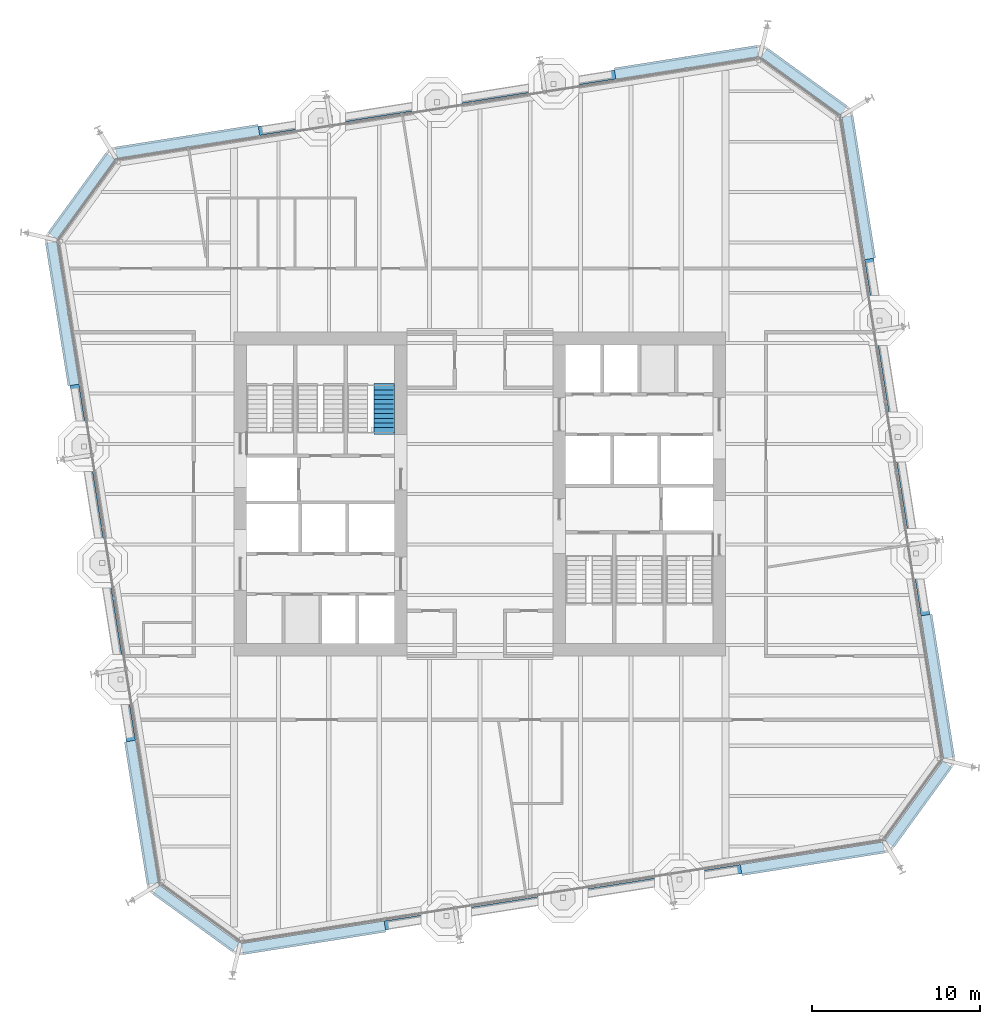
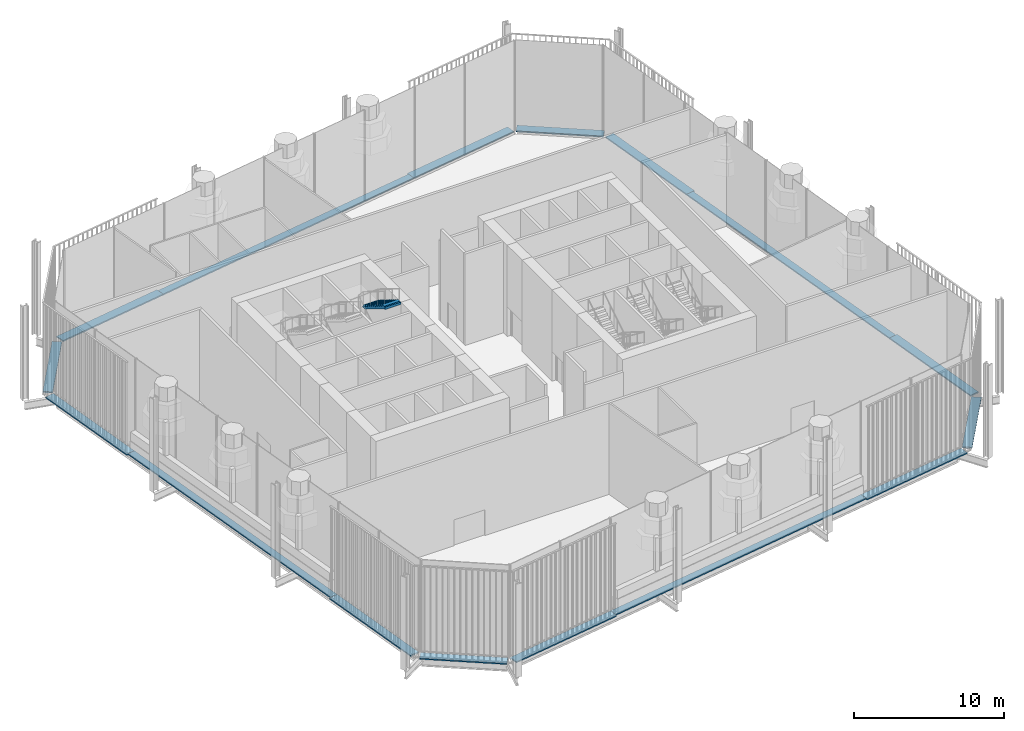
# One storey, part 15 of 19: 16 discrete accessories, 1 stair flight, 1 element without a shape of its own.
"""IFC4 building model written with IfcOpenShell, lengths in metres."""

from ifc_helpers import new_model, si_unit, direction, frame, origin, origin_2d, place, context, subcontext, project, spatial, polyline, rectangle, outline, extrude, material, type_object, element, aggregate, save


model = new_model("IFC4")

# Units and contexts
model_context = context("Model", 3, precision=1e-05, world=origin(), true_north=direction((0.0, 1.0)))
body_context = subcontext(model_context, "Body", "Model", "MODEL_VIEW")
ifc_project = project(units=[si_unit("LENGTHUNIT", "METRE"), si_unit("AREAUNIT", "SQUARE_METRE"), si_unit("VOLUMEUNIT", "CUBIC_METRE"), si_unit("PLANEANGLEUNIT", "RADIAN"), si_unit("MASSUNIT", "GRAM", prefix="KILO")], contexts=[model_context])

# Site, building, storey
site_placement = place(None, origin())
site = spatial("IfcSite", under=ifc_project, at=site_placement, CompositionType="ELEMENT")
building_placement = place(site_placement, origin())
building = spatial("IfcBuilding", under=site, at=building_placement, Name="Millrace Tower", CompositionType="ELEMENT")
storey_placement = place(building_placement, frame((0.0, 0.0, 172.39990234375)))
storey = spatial("IfcBuildingStorey", under=building, at=storey_placement, Name="L39", CompositionType="ELEMENT", Elevation=172.39990234375)

# Stair, stair flight
ifc_material_1 = material(Name="Concrete C35", Category="concrete")
stair_type = type_object("IfcStairType", Name="Exit stair", PredefinedType="HALF_TURN_STAIR", material=ifc_material_1)
stair_placement = place(storey_placement, origin())
stair = element("IfcStair", 1, at=stair_placement, inside=storey, type_object=stair_type, Name="Stair 3 W L39", PredefinedType="HALF_TURN_STAIR")
ifc_material_2 = material(Name="Concrete C35", Category="concrete")
stair_flight_type = type_object("IfcStairFlightType", Name="Exit stair flight", PredefinedType="STRAIGHT", material=ifc_material_2)
stair_flight_placement = place(storey_placement, frame((-5.7099609375, 6.47998046875, 5.7001953125), z_axis=(0.0, 0.0, 1.0), x_axis=(0.0, -1.0, 0.0)))
stair_flight = element("IfcStairFlight", 2, at=stair_flight_placement, type_object=stair_flight_type, Name="ST12 flight 4", NumberOfRisers=11, NumberOfTreads=10, PredefinedType="STRAIGHT", RiserHeight=0.172727273, TreadLength=0.28, context=body_context, shape_type="SweptSolid", body=[
    extrude(outline(polyline([(-0.1201171875, -0.0400390625), (-0.1201171875, 0.0), (0.0, 0.0), (0.0, 0.172607421875), (0.280029296875, 0.172607421875), (0.280029296875, 0.345458984375), (0.56005859375, 0.345458984375), (0.56005859375, 0.51806640625), (0.840087890625, 0.51806640625), (0.840087890625, 0.69091796875), (1.1201171875, 0.69091796875), (1.1201171875, 0.863525390625), (1.39990234375, 0.863525390625), (1.39990234375, 1.036376953125), (1.679931640625, 1.036376953125), (1.679931640625, 1.208984375), (1.9599609375, 1.208984375), (1.9599609375, 1.3818359375), (2.239990234375, 1.3818359375), (2.239990234375, 1.554443359375), (2.52001953125, 1.554443359375), (2.52001953125, 1.727294921875), (2.800048828125, 1.727294921875), (2.800048828125, 1.747314453125), (2.919921875, 1.747314453125), (2.919921875, 1.551025390625), (2.800048828125, 1.551025390625), (0.285400390625, 0.0), (0.285400390625, -0.0400390625), (-0.1201171875, -0.0400390625)])), frame((0.0, 0.60986328125, 0.0), z_axis=(0.0, -1.0, 0.0), x_axis=(1.0, 0.0, 0.0)), (0.0, 0.0, 1.0), 1.219970703125),
])
aggregate(stair, [stair_flight])

# Discrete accessories
ifc_material_3 = material(Name="Stainless steel ASTM A240 type 316", Category="steel")
discrete_accessory_type = type_object("IfcDiscreteAccessoryType", Name="Thermally broken screen support rail", PredefinedType="BRACKET", material=ifc_material_3)
discrete_accessory_1_placement = place(storey_placement, frame((-16.924072265625, -25.295654296875, 0.0), z_axis=(0.0, 0.0, 1.0), x_axis=(0.809016981623, -0.587785269844, 0.0)))
element("IfcDiscreteAccessory", 3, at=discrete_accessory_1_placement, inside=storey, type_object=discrete_accessory_type, Name="Thermally broken screen support rail C-F01 L39 1", PredefinedType="BRACKET", context=body_context, shape_type="SweptSolid", body=[
    extrude(rectangle(XDim=5.868896484375, YDim=0.669921875, at=origin_2d()), origin(), (0.0, 0.0, 1.0), 0.10009765625),
])
discrete_accessory_2_placement = place(storey_placement, frame((-9.90478515625, -26.443359375, 0.0), z_axis=(0.0, 0.0, 1.0), x_axis=(0.98768833929, 0.15643447328, 0.0)))
element("IfcDiscreteAccessory", 4, at=discrete_accessory_2_placement, inside=storey, type_object=discrete_accessory_type, Name="Thermally broken screen support rail C-F02 L39 1", PredefinedType="BRACKET", context=body_context, shape_type="SweptSolid", body=[
    extrude(rectangle(XDim=8.60009765625, YDim=0.669921875, at=origin_2d()), origin(), (0.0, 0.0, 1.0), 0.10009765625),
])
discrete_accessory_3_placement = place(storey_placement, frame((4.950439453125, -24.02978515625, 0.0), z_axis=(0.0, 0.0, 1.0), x_axis=(0.98768833929, 0.15643447328, 0.0)))
element("IfcDiscreteAccessory", 5, at=discrete_accessory_3_placement, inside=storey, type_object=discrete_accessory_type, Name="Thermally broken screen support rail C-F02 L39 2", PredefinedType="BRACKET", context=body_context, shape_type="SweptSolid", body=[
    extrude(rectangle(XDim=21.5, YDim=0.550048828125, at=origin_2d()), origin(), (0.0, 0.0, 1.0), 0.10009765625),
])
discrete_accessory_4_placement = place(storey_placement, frame((19.82470703125, -21.73486328125, 0.0), z_axis=(0.0, 0.0, 1.0), x_axis=(0.98768833929, 0.15643447328, 0.0)))
element("IfcDiscreteAccessory", 6, at=discrete_accessory_4_placement, inside=storey, type_object=discrete_accessory_type, Name="Thermally broken screen support rail C-F02 L39 3", PredefinedType="BRACKET", context=body_context, shape_type="SweptSolid", body=[
    extrude(rectangle(XDim=8.60009765625, YDim=0.669921875, at=origin_2d()), origin(), (0.0, 0.0, 1.0), 0.10009765625),
])
discrete_accessory_5_placement = place(storey_placement, frame((26.145751953125, -18.47412109375, 0.0), z_axis=(0.0, 0.0, 1.0), x_axis=(0.587785269844, 0.809016981623, 0.0)))
element("IfcDiscreteAccessory", 7, at=discrete_accessory_5_placement, inside=storey, type_object=discrete_accessory_type, Name="Thermally broken screen support rail C-F03 L39 1", PredefinedType="BRACKET", context=body_context, shape_type="SweptSolid", body=[
    extrude(rectangle(XDim=5.868896484375, YDim=0.669921875, at=origin_2d()), origin(), (0.0, 0.0, 1.0), 0.10009765625),
])
discrete_accessory_6_placement = place(storey_placement, frame((27.29345703125, -11.454833984375, 0.0), z_axis=(0.0, 0.0, 1.0), x_axis=(-0.15643447328, 0.98768833929, 0.0)))
element("IfcDiscreteAccessory", 8, at=discrete_accessory_6_placement, inside=storey, type_object=discrete_accessory_type, Name="Thermally broken screen support rail C-F04 L39 1", PredefinedType="BRACKET", context=body_context, shape_type="SweptSolid", body=[
    extrude(rectangle(XDim=8.60009765625, YDim=0.669921875, at=origin_2d()), origin(), (0.0, 0.0, 1.0), 0.10009765625),
])
discrete_accessory_7_placement = place(storey_placement, frame((24.8798828125, 3.400634765625, 0.0), z_axis=(0.0, 0.0, 1.0), x_axis=(-0.15643447328, 0.98768833929, 0.0)))
element("IfcDiscreteAccessory", 9, at=discrete_accessory_7_placement, inside=storey, type_object=discrete_accessory_type, Name="Thermally broken screen support rail C-F04 L39 2", PredefinedType="BRACKET", context=body_context, shape_type="SweptSolid", body=[
    extrude(rectangle(XDim=21.5, YDim=0.550048828125, at=origin_2d()), origin(), (0.0, 0.0, 1.0), 0.10009765625),
])
discrete_accessory_8_placement = place(storey_placement, frame((22.584716796875, 18.274658203125, 0.0), z_axis=(0.0, 0.0, 1.0), x_axis=(-0.15643447328, 0.98768833929, 0.0)))
element("IfcDiscreteAccessory", 10, at=discrete_accessory_8_placement, inside=storey, type_object=discrete_accessory_type, Name="Thermally broken screen support rail C-F04 L39 3", PredefinedType="BRACKET", context=body_context, shape_type="SweptSolid", body=[
    extrude(rectangle(XDim=8.60009765625, YDim=0.669921875, at=origin_2d()), origin(), (0.0, 0.0, 1.0), 0.10009765625),
])
discrete_accessory_9_placement = place(storey_placement, frame((19.323974609375, 24.595703125, 0.0), z_axis=(0.0, 0.0, 1.0), x_axis=(-0.809016981623, 0.587785269844, 0.0)))
element("IfcDiscreteAccessory", 11, at=discrete_accessory_9_placement, inside=storey, type_object=discrete_accessory_type, Name="Thermally broken screen support rail C-F05 L39 1", PredefinedType="BRACKET", context=body_context, shape_type="SweptSolid", body=[
    extrude(rectangle(XDim=5.868896484375, YDim=0.669921875, at=origin_2d()), origin(), (0.0, 0.0, 1.0), 0.10009765625),
])
discrete_accessory_10_placement = place(storey_placement, frame((12.3046875, 25.743408203125, 0.0), z_axis=(0.0, 0.0, 1.0), x_axis=(-0.98768833929, -0.15643447328, 0.0)))
element("IfcDiscreteAccessory", 12, at=discrete_accessory_10_placement, inside=storey, type_object=discrete_accessory_type, Name="Thermally broken screen support rail C-F06 L39 1", PredefinedType="BRACKET", context=body_context, shape_type="SweptSolid", body=[
    extrude(rectangle(XDim=8.60009765625, YDim=0.669921875, at=origin_2d()), origin(), (0.0, 0.0, 1.0), 0.10009765625),
])
discrete_accessory_11_placement = place(storey_placement, frame((-2.550537109375, 23.329833984375, 0.0), z_axis=(0.0, 0.0, 1.0), x_axis=(-0.98768833929, -0.15643447328, 0.0)))
element("IfcDiscreteAccessory", 13, at=discrete_accessory_11_placement, inside=storey, type_object=discrete_accessory_type, Name="Thermally broken screen support rail C-F06 L39 2", PredefinedType="BRACKET", context=body_context, shape_type="SweptSolid", body=[
    extrude(rectangle(XDim=21.5, YDim=0.550048828125, at=origin_2d()), origin(), (0.0, 0.0, 1.0), 0.10009765625),
])
discrete_accessory_12_placement = place(storey_placement, frame((-17.424560546875, 21.03466796875, 0.0), z_axis=(0.0, 0.0, 1.0), x_axis=(-0.98768833929, -0.15643447328, 0.0)))
element("IfcDiscreteAccessory", 14, at=discrete_accessory_12_placement, inside=storey, type_object=discrete_accessory_type, Name="Thermally broken screen support rail C-F06 L39 3", PredefinedType="BRACKET", context=body_context, shape_type="SweptSolid", body=[
    extrude(rectangle(XDim=8.60009765625, YDim=0.669921875, at=origin_2d()), origin(), (0.0, 0.0, 1.0), 0.10009765625),
])
discrete_accessory_13_placement = place(storey_placement, frame((-23.74560546875, 17.774169921875, 0.0), z_axis=(0.0, 0.0, 1.0), x_axis=(-0.587785269844, -0.809016981623, 0.0)))
element("IfcDiscreteAccessory", 15, at=discrete_accessory_13_placement, inside=storey, type_object=discrete_accessory_type, Name="Thermally broken screen support rail C-F07 L39 1", PredefinedType="BRACKET", context=body_context, shape_type="SweptSolid", body=[
    extrude(rectangle(XDim=5.868896484375, YDim=0.669921875, at=origin_2d()), origin(), (0.0, 0.0, 1.0), 0.10009765625),
])
discrete_accessory_14_placement = place(storey_placement, frame((-24.893310546875, 10.7548828125, 0.0), z_axis=(0.0, 0.0, 1.0), x_axis=(0.15643447328, -0.98768833929, 0.0)))
element("IfcDiscreteAccessory", 16, at=discrete_accessory_14_placement, inside=storey, type_object=discrete_accessory_type, Name="Thermally broken screen support rail C-F08 L39 1", PredefinedType="BRACKET", context=body_context, shape_type="SweptSolid", body=[
    extrude(rectangle(XDim=8.60009765625, YDim=0.669921875, at=origin_2d()), origin(), (0.0, 0.0, 1.0), 0.10009765625),
])
discrete_accessory_15_placement = place(storey_placement, frame((-22.479736328125, -4.1005859375, 0.0), z_axis=(0.0, 0.0, 1.0), x_axis=(0.15643447328, -0.98768833929, 0.0)))
element("IfcDiscreteAccessory", 17, at=discrete_accessory_15_placement, inside=storey, type_object=discrete_accessory_type, Name="Thermally broken screen support rail C-F08 L39 2", PredefinedType="BRACKET", context=body_context, shape_type="SweptSolid", body=[
    extrude(rectangle(XDim=21.5, YDim=0.550048828125, at=origin_2d()), origin(), (0.0, 0.0, 1.0), 0.10009765625),
])
discrete_accessory_16_placement = place(storey_placement, frame((-20.184814453125, -18.974609375, 0.0), z_axis=(0.0, 0.0, 1.0), x_axis=(0.15643447328, -0.98768833929, 0.0)))
element("IfcDiscreteAccessory", 18, at=discrete_accessory_16_placement, inside=storey, type_object=discrete_accessory_type, Name="Thermally broken screen support rail C-F08 L39 3", PredefinedType="BRACKET", context=body_context, shape_type="SweptSolid", body=[
    extrude(rectangle(XDim=8.60009765625, YDim=0.669921875, at=origin_2d()), origin(), (0.0, 0.0, 1.0), 0.10009765625),
])

save(model, "model.ifc")
